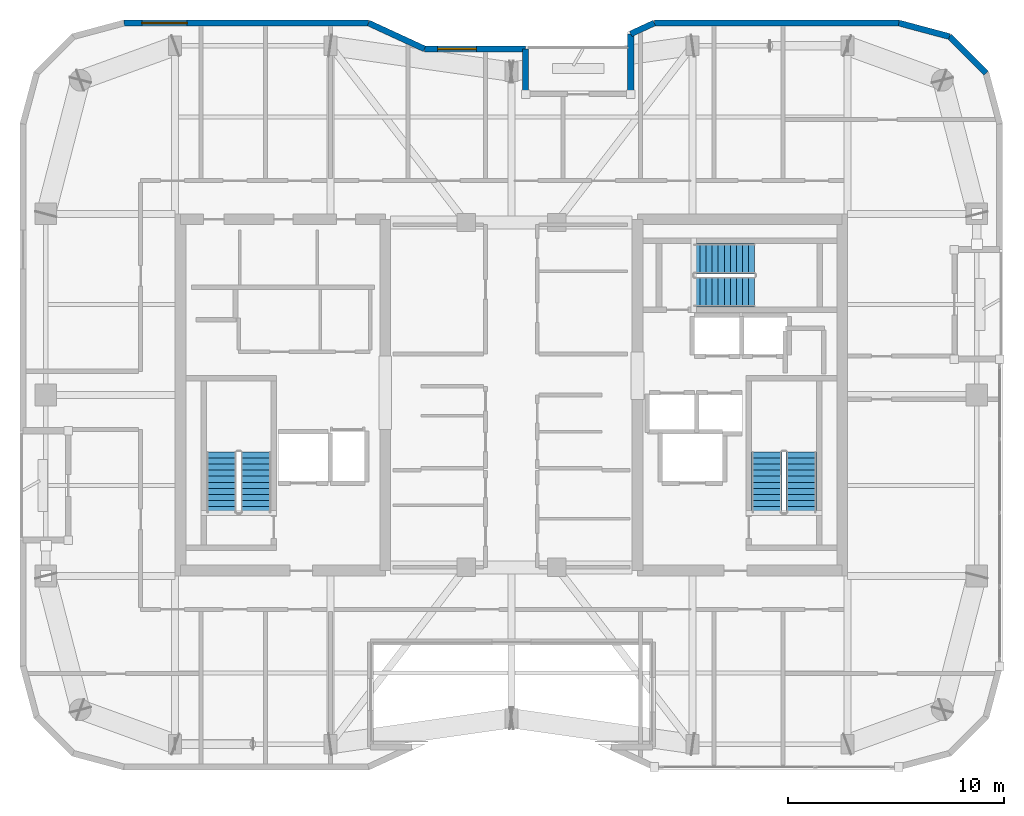
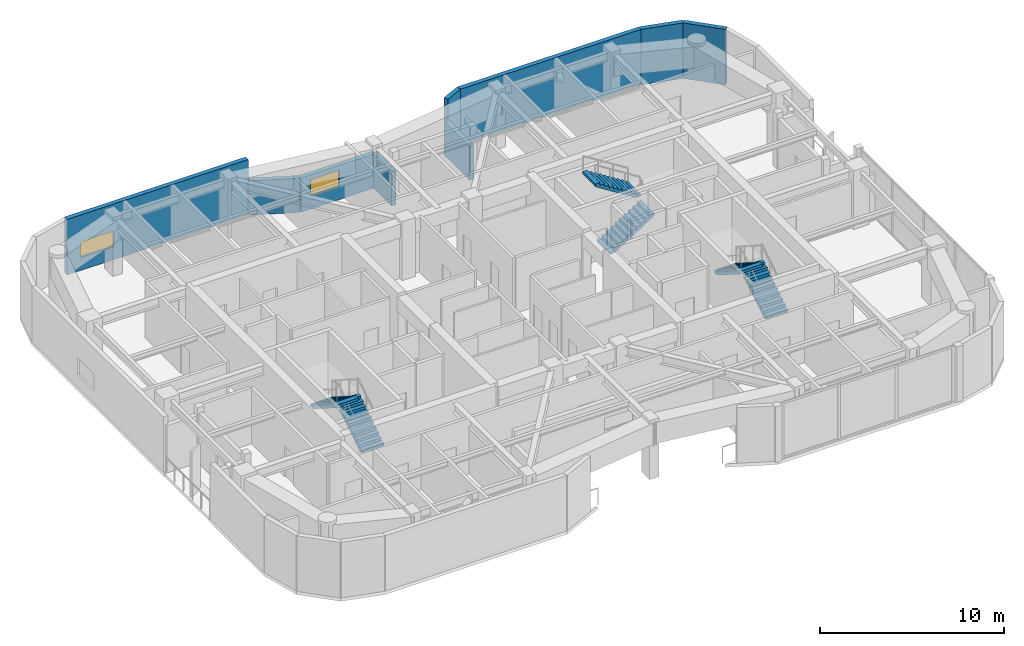
# One storey, part 14 of 16: 9 walls, 6 stair flights, 2 windows, 2 openings, 3 elements without a shape of their own.
"""IFC4 building model written with IfcOpenShell, lengths in metres."""

from ifc_helpers import new_model, si_unit, direction, frame, frame_2d, origin, place, context, subcontext, project, spatial, polyline, rectangle, outline, extrude, material, layer, layer_set, type_object, element, fill, aggregate, save


model = new_model("IFC4")

# Units and contexts
model_context = context("Model", 3, precision=1e-05, world=origin(), true_north=direction((0.0, 1.0)))
body_context = subcontext(model_context, "Body", "Model", "MODEL_VIEW")
ifc_project = project(units=[si_unit("LENGTHUNIT", "METRE"), si_unit("AREAUNIT", "SQUARE_METRE"), si_unit("VOLUMEUNIT", "CUBIC_METRE"), si_unit("PLANEANGLEUNIT", "RADIAN"), si_unit("MASSUNIT", "GRAM", prefix="KILO")], contexts=[model_context])

# Site, building, storey
site_placement = place(None, origin())
site = spatial("IfcSite", under=ifc_project, at=site_placement, CompositionType="ELEMENT")
building_placement = place(site_placement, origin())
building = spatial("IfcBuilding", under=site, at=building_placement, Name="Kiyonajd Concourse Tower", CompositionType="ELEMENT")
storey_placement = place(building_placement, frame((0.0, 0.0, 298.5)))
storey = spatial("IfcBuildingStorey", under=building, at=storey_placement, Name="L75", CompositionType="ELEMENT", Elevation=298.5)

# Wall, opening, window
ifc_material_1 = material(Name="Precast concrete C50/60", Category="concrete")
ifc_layer = layer(ifc_material_1, 0.280029296875)
ifc_layer_set = layer_set([ifc_layer], Name="Precast concrete C50/60")
wall_type = type_object("IfcWallType", Name="WL-EXT-280", PredefinedType="SOLIDWALL", material=ifc_layer_set)
wall_1_placement = place(storey_placement, frame((30.018310546875, 53.260009765625, 0.0), z_axis=(0.0, 0.0, 1.0), x_axis=(1.0, 0.0, 0.0)))
wall_1 = element("IfcWall", 1, at=wall_1_placement, inside=storey, type_object=wall_type, Name="L75 Exterior Concrete Frame Wall 29", PredefinedType="SOLIDWALL", context=body_context, shape_type="SweptSolid", body=[
    extrude(rectangle(XDim=11.35107421875, YDim=0.280029296875, at=frame_2d((5.675537109375, 0.0))), origin(), (0.0, 0.0, 1.0), 3.679931640625),
])
opening_1_placement = place(wall_1_placement, frame((0.8359375, 0.0, 0.85009765625)))
opening_1 = element("IfcOpeningElement", 2, at=opening_1_placement, cuts=wall_1, Name="Opening WN5", PredefinedType="OPENING", context=body_context, shape_type="SweptSolid", body=[
    extrude(rectangle(XDim=2.10009765625, YDim=1.050048828125, at=frame_2d((1.050048828125, 0.52490234375))), frame((0.0, 0.14990234375, 0.0), z_axis=(0.0, -1.0, 0.0), x_axis=(1.0, 0.0, 0.0)), (0.0, 0.0, 1.0), 0.300048828125),
])
ifc_material_2 = material(Name="Double Low-E Insulated Glass", Category="glass")
window_type_1 = type_object("IfcWindowType", Name="WN-VIS-2100x1050", PartitioningType="SINGLE_PANEL", PredefinedType="WINDOW", material=ifc_material_2)
window_1_placement = place(opening_1_placement, origin())
window_1 = element("IfcWindow", 3, at=window_1_placement, inside=storey, type_object=window_type_1, Name="L75 Modular Facade Vision Window 29", OverallHeight=1.050048828125, OverallWidth=2.10009765625, PartitioningType="SINGLE_PANEL", PredefinedType="WINDOW", context=body_context, shape_type="SweptSolid", body=[
    extrude(rectangle(XDim=2.10009765625, YDim=1.050048828125, at=frame_2d((1.050048828125, 0.52490234375))), frame((0.0, 0.030029296875, 0.0), z_axis=(0.0, -1.0, 0.0), x_axis=(1.0, 0.0, 0.0)), (0.0, 0.0, 1.0), 0.06005859375),
])
fill(opening_1, window_1)

# Wall
wall_2_placement = place(storey_placement, frame((41.369384765625, 53.260009765625, 0.0), z_axis=(0.0, 0.0, 1.0), x_axis=(0.907956889006, -0.419063584324, 0.0)))
element("IfcWall", 4, at=wall_2_placement, inside=storey, type_object=wall_type, Name="L75 Exterior Concrete Frame Wall 30", PredefinedType="SOLIDWALL", context=body_context, shape_type="SweptSolid", body=[
    extrude(rectangle(XDim=2.863525390625, YDim=0.280029296875, at=frame_2d((1.431640625, 0.0))), origin(), (0.0, 0.0, 1.0), 2.264892578125),
])

# Wall, opening, window
wall_3_placement = place(storey_placement, frame((43.96923828125, 52.06005859375, 0.0), z_axis=(0.0, 0.0, 1.0), x_axis=(1.0, 0.0, 0.0)))
wall_3 = element("IfcWall", 5, at=wall_3_placement, inside=storey, type_object=wall_type, Name="L75 Exterior Concrete Frame Wall 31", PredefinedType="SOLIDWALL", context=body_context, shape_type="SweptSolid", body=[
    extrude(rectangle(XDim=4.690673828125, YDim=0.280029296875, at=frame_2d((2.34521484375, 0.0))), origin(), (0.0, 0.0, 1.0), 2.264892578125),
])
opening_2_placement = place(wall_3_placement, frame((0.610107421875, 0.0, 0.85009765625)))
opening_2 = element("IfcOpeningElement", 6, at=opening_2_placement, cuts=wall_3, Name="Opening WN1", PredefinedType="OPENING", context=body_context, shape_type="SweptSolid", body=[
    extrude(rectangle(XDim=1.800048828125, YDim=1.10009765625, at=frame_2d((0.89990234375, 0.550048828125))), frame((0.0, 0.14990234375, 0.0), z_axis=(0.0, -1.0, 0.0), x_axis=(1.0, 0.0, 0.0)), (0.0, 0.0, 1.0), 0.300048828125),
])
window_type_2 = type_object("IfcWindowType", Name="WN-VIS-1800x1100", PartitioningType="SINGLE_PANEL", PredefinedType="WINDOW", material=ifc_material_2)
window_2_placement = place(opening_2_placement, origin())
window_2 = element("IfcWindow", 7, at=window_2_placement, inside=storey, type_object=window_type_2, Name="L75 Modular Facade Vision Window 31", OverallHeight=1.10009765625, OverallWidth=1.800048828125, PartitioningType="SINGLE_PANEL", PredefinedType="WINDOW", context=body_context, shape_type="SweptSolid", body=[
    extrude(rectangle(XDim=1.800048828125, YDim=1.10009765625, at=frame_2d((0.89990234375, 0.550048828125))), frame((0.0, 0.030029296875, 0.0), z_axis=(0.0, -1.0, 0.0), x_axis=(1.0, 0.0, 0.0)), (0.0, 0.0, 1.0), 0.06005859375),
])
fill(opening_2, window_2)

# Walls
wall_4_placement = place(storey_placement, frame((48.659912109375, 52.06005859375, 0.0), z_axis=(0.0, 0.0, 1.0), x_axis=(0.0, -1.0, 0.0)))
element("IfcWall", 8, at=wall_4_placement, inside=storey, type_object=wall_type, Name="L75 Exterior Concrete Frame Wall 32", PredefinedType="SOLIDWALL", context=body_context, shape_type="SweptSolid", body=[
    extrude(rectangle(XDim=2.10009765625, YDim=0.280029296875, at=frame_2d((1.050048828125, 0.0))), origin(), (0.0, 0.0, 1.0), 2.264892578125),
])
wall_5_placement = place(storey_placement, frame((53.5400390625, 49.9599609375, 0.0), z_axis=(0.0, 0.0, 1.0), x_axis=(0.0, 1.0, 0.0)))
element("IfcWall", 9, at=wall_5_placement, inside=storey, type_object=wall_type, Name="L75 Exterior Concrete Frame Wall 34", PredefinedType="SOLIDWALL", context=body_context, shape_type="SweptSolid", body=[
    extrude(rectangle(XDim=2.79638671875, YDim=0.280029296875, at=frame_2d((1.398193359375, 0.0))), origin(), (0.0, 0.0, 1.0), 2.264892578125),
])
wall_6_placement = place(storey_placement, frame((53.5400390625, 52.75634765625, 0.0), z_axis=(0.0, 0.0, 1.0), x_axis=(0.907893953211, 0.419199916176, 0.0)))
element("IfcWall", 10, at=wall_6_placement, inside=storey, type_object=wall_type, Name="L75 Exterior Concrete Frame Wall 35", PredefinedType="SOLIDWALL", context=body_context, shape_type="SweptSolid", body=[
    extrude(rectangle(XDim=1.201416015625, YDim=0.280029296875, at=frame_2d((0.6005859375, 0.0))), origin(), (0.0, 0.0, 1.0), 3.679931640625),
])
wall_7_placement = place(storey_placement, frame((54.630859375, 53.260009765625, 0.0), z_axis=(0.0, 0.0, 1.0), x_axis=(1.0, 0.0, 0.0)))
element("IfcWall", 11, at=wall_7_placement, inside=storey, type_object=wall_type, Name="L75 Exterior Concrete Frame Wall 36", PredefinedType="SOLIDWALL", context=body_context, shape_type="SweptSolid", body=[
    extrude(rectangle(XDim=11.350830078125, YDim=0.280029296875, at=frame_2d((5.67529296875, 0.0))), origin(), (0.0, 0.0, 1.0), 3.679931640625),
])
wall_8_placement = place(storey_placement, frame((65.981689453125, 53.260009765625, 0.0), z_axis=(0.0, 0.0, 1.0), x_axis=(0.965937282298, -0.25877628691, 0.0)))
element("IfcWall", 12, at=wall_8_placement, inside=storey, type_object=wall_type, Name="L75 Exterior Concrete Frame Wall 37", PredefinedType="SOLIDWALL", context=body_context, shape_type="SweptSolid", body=[
    extrude(rectangle(XDim=2.428466796875, YDim=0.280029296875, at=frame_2d((1.21435546875, 0.0))), origin(), (0.0, 0.0, 1.0), 3.679931640625),
])
wall_9_placement = place(storey_placement, frame((68.327392578125, 52.631591796875, 0.0), z_axis=(0.0, 0.0, 1.0), x_axis=(0.707106781187, -0.707106781187, 0.0)))
element("IfcWall", 13, at=wall_9_placement, inside=storey, type_object=wall_type, Name="L75 Exterior Concrete Frame Wall 38", PredefinedType="SOLIDWALL", context=body_context, shape_type="SweptSolid", body=[
    extrude(rectangle(XDim=2.409912109375, YDim=0.280029296875, at=frame_2d((1.205078125, 0.0))), origin(), (0.0, 0.0, 1.0), 3.679931640625),
])

# Stair, stair flights
ifc_material_3 = material(Name="Concrete C40/50", Category="concrete")
stair_type = type_object("IfcStairType", Name="ST-DLG-22R", PredefinedType="HALF_TURN_STAIR", material=ifc_material_3)
stair_1_placement = place(storey_placement, origin())
stair_1 = element("IfcStair", 14, at=stair_1_placement, inside=storey, type_object=stair_type, Name="L75 Protected Exit Stair ST1", PredefinedType="HALF_TURN_STAIR")
stair_flight_type = type_object("IfcStairFlightType", Name="SF-STR-22R", PredefinedType="STRAIGHT", material=ifc_material_3)
stair_flight_1_placement = place(storey_placement, frame((36.14990234375, 30.550048828125, 0.0), z_axis=(0.0, 0.0, 1.0), x_axis=(0.0, 1.0, 0.0)))
stair_flight_1 = element("IfcStairFlight", 15, at=stair_flight_1_placement, type_object=stair_flight_type, Name="ST1 flight 1", NumberOfRisers=11, NumberOfTreads=10, PredefinedType="STRAIGHT", RiserHeight=0.177272727, TreadLength=0.28, context=body_context, shape_type="SweptSolid", body=[
    extrude(outline(polyline([(0.0, 0.0), (0.0, 0.17724609375), (0.280029296875, 0.17724609375), (0.280029296875, 0.3544921875), (0.56005859375, 0.3544921875), (0.56005859375, 0.53173828125), (0.840087890625, 0.53173828125), (0.840087890625, 0.708984375), (1.1201171875, 0.708984375), (1.1201171875, 0.886474609375), (1.39990234375, 0.886474609375), (1.39990234375, 1.063720703125), (1.679931640625, 1.063720703125), (1.679931640625, 1.240966796875), (1.9599609375, 1.240966796875), (1.9599609375, 1.418212890625), (2.239990234375, 1.418212890625), (2.239990234375, 1.595458984375), (2.52001953125, 1.595458984375), (2.52001953125, 1.772705078125), (2.800048828125, 1.772705078125), (2.800048828125, 1.949951171875), (2.800048828125, 1.59521484375), (0.2802734375, 0.0), (0.0, 0.0)])), frame((0.0, 0.699951171875, 0.0), z_axis=(0.0, -1.0, 0.0), x_axis=(1.0, 0.0, 0.0)), (0.0, 0.0, 1.0), 1.39990234375),
])
stair_flight_2_placement = place(storey_placement, frame((34.550048828125, 33.35009765625, 1.949951171875), z_axis=(0.0, 0.0, 1.0), x_axis=(0.0, -1.0, 0.0)))
stair_flight_2 = element("IfcStairFlight", 16, at=stair_flight_2_placement, type_object=stair_flight_type, Name="ST1 flight 2", NumberOfRisers=11, NumberOfTreads=10, PredefinedType="STRAIGHT", RiserHeight=0.177272727, TreadLength=0.28, context=body_context, shape_type="SweptSolid", body=[
    extrude(outline(polyline([(0.0, 0.0), (0.0, 0.17724609375), (0.280029296875, 0.17724609375), (0.280029296875, 0.3544921875), (0.56005859375, 0.3544921875), (0.56005859375, 0.53173828125), (0.840087890625, 0.53173828125), (0.840087890625, 0.708984375), (1.1201171875, 0.708984375), (1.1201171875, 0.886474609375), (1.39990234375, 0.886474609375), (1.39990234375, 1.063720703125), (1.679931640625, 1.063720703125), (1.679931640625, 1.240966796875), (1.9599609375, 1.240966796875), (1.9599609375, 1.418212890625), (2.239990234375, 1.418212890625), (2.239990234375, 1.595458984375), (2.52001953125, 1.595458984375), (2.52001953125, 1.772705078125), (2.800048828125, 1.772705078125), (2.800048828125, 1.949951171875), (2.800048828125, 1.59521484375), (0.2802734375, 0.0), (0.0, 0.0)])), frame((0.0, 0.699951171875, 0.0), z_axis=(0.0, -1.0, 0.0), x_axis=(1.0, 0.0, 0.0)), (0.0, 0.0, 1.0), 1.39990234375),
])
aggregate(stair_1, [stair_flight_1, stair_flight_2])

stair_2_placement = place(storey_placement, origin())
stair_2 = element("IfcStair", 17, at=stair_2_placement, inside=storey, type_object=stair_type, Name="L75 Protected Exit Stair ST2", PredefinedType="HALF_TURN_STAIR")
stair_flight_3_placement = place(storey_placement, frame((61.449951171875, 30.550048828125, 0.0), z_axis=(0.0, 0.0, 1.0), x_axis=(0.0, 1.0, 0.0)))
stair_flight_3 = element("IfcStairFlight", 18, at=stair_flight_3_placement, type_object=stair_flight_type, Name="ST2 flight 1", NumberOfRisers=11, NumberOfTreads=10, PredefinedType="STRAIGHT", RiserHeight=0.177272727, TreadLength=0.28, context=body_context, shape_type="SweptSolid", body=[
    extrude(outline(polyline([(0.0, 0.0), (0.0, 0.17724609375), (0.280029296875, 0.17724609375), (0.280029296875, 0.3544921875), (0.56005859375, 0.3544921875), (0.56005859375, 0.53173828125), (0.840087890625, 0.53173828125), (0.840087890625, 0.708984375), (1.1201171875, 0.708984375), (1.1201171875, 0.886474609375), (1.39990234375, 0.886474609375), (1.39990234375, 1.063720703125), (1.679931640625, 1.063720703125), (1.679931640625, 1.240966796875), (1.9599609375, 1.240966796875), (1.9599609375, 1.418212890625), (2.239990234375, 1.418212890625), (2.239990234375, 1.595458984375), (2.52001953125, 1.595458984375), (2.52001953125, 1.772705078125), (2.800048828125, 1.772705078125), (2.800048828125, 1.949951171875), (2.800048828125, 1.59521484375), (0.2802734375, 0.0), (0.0, 0.0)])), frame((0.0, 0.699951171875, 0.0), z_axis=(0.0, -1.0, 0.0), x_axis=(1.0, 0.0, 0.0)), (0.0, 0.0, 1.0), 1.39990234375),
])
stair_flight_4_placement = place(storey_placement, frame((59.85009765625, 33.35009765625, 1.949951171875), z_axis=(0.0, 0.0, 1.0), x_axis=(0.0, -1.0, 0.0)))
stair_flight_4 = element("IfcStairFlight", 19, at=stair_flight_4_placement, type_object=stair_flight_type, Name="ST2 flight 2", NumberOfRisers=11, NumberOfTreads=10, PredefinedType="STRAIGHT", RiserHeight=0.177272727, TreadLength=0.28, context=body_context, shape_type="SweptSolid", body=[
    extrude(outline(polyline([(0.0, 0.0), (0.0, 0.17724609375), (0.280029296875, 0.17724609375), (0.280029296875, 0.3544921875), (0.56005859375, 0.3544921875), (0.56005859375, 0.53173828125), (0.840087890625, 0.53173828125), (0.840087890625, 0.708984375), (1.1201171875, 0.708984375), (1.1201171875, 0.886474609375), (1.39990234375, 0.886474609375), (1.39990234375, 1.063720703125), (1.679931640625, 1.063720703125), (1.679931640625, 1.240966796875), (1.9599609375, 1.240966796875), (1.9599609375, 1.418212890625), (2.239990234375, 1.418212890625), (2.239990234375, 1.595458984375), (2.52001953125, 1.595458984375), (2.52001953125, 1.772705078125), (2.800048828125, 1.772705078125), (2.800048828125, 1.949951171875), (2.800048828125, 1.59521484375), (0.2802734375, 0.0), (0.0, 0.0)])), frame((0.0, 0.699951171875, 0.0), z_axis=(0.0, -1.0, 0.0), x_axis=(1.0, 0.0, 0.0)), (0.0, 0.0, 1.0), 1.39990234375),
])
aggregate(stair_2, [stair_flight_3, stair_flight_4])

stair_3_placement = place(storey_placement, origin())
stair_3 = element("IfcStair", 20, at=stair_3_placement, inside=storey, type_object=stair_type, Name="L75 Protected Exit Stair ST3", PredefinedType="HALF_TURN_STAIR")
stair_flight_5_placement = place(storey_placement, frame((56.47998046875, 40.780029296875, 0.0), z_axis=(0.0, 0.0, 1.0), x_axis=(1.0, 0.0, 0.0)))
stair_flight_5 = element("IfcStairFlight", 21, at=stair_flight_5_placement, type_object=stair_flight_type, Name="ST3 flight 1", NumberOfRisers=11, NumberOfTreads=10, PredefinedType="STRAIGHT", RiserHeight=0.177272727, TreadLength=0.28, context=body_context, shape_type="SweptSolid", body=[
    extrude(outline(polyline([(0.0, 0.0), (0.0, 0.17724609375), (0.280029296875, 0.17724609375), (0.280029296875, 0.3544921875), (0.56005859375, 0.3544921875), (0.56005859375, 0.53173828125), (0.840087890625, 0.53173828125), (0.840087890625, 0.708984375), (1.1201171875, 0.708984375), (1.1201171875, 0.886474609375), (1.39990234375, 0.886474609375), (1.39990234375, 1.063720703125), (1.679931640625, 1.063720703125), (1.679931640625, 1.240966796875), (1.9599609375, 1.240966796875), (1.9599609375, 1.418212890625), (2.239990234375, 1.418212890625), (2.239990234375, 1.595458984375), (2.52001953125, 1.595458984375), (2.52001953125, 1.772705078125), (2.800048828125, 1.772705078125), (2.800048828125, 1.949951171875), (2.800048828125, 1.59521484375), (0.2802734375, 0.0), (0.0, 0.0)])), frame((0.0, 0.699951171875, 0.0), z_axis=(0.0, -1.0, 0.0), x_axis=(1.0, 0.0, 0.0)), (0.0, 0.0, 1.0), 1.39990234375),
])
stair_flight_6_placement = place(storey_placement, frame((59.280029296875, 42.320068359375, 1.949951171875), z_axis=(0.0, 0.0, 1.0), x_axis=(-1.0, 0.0, 0.0)))
stair_flight_6 = element("IfcStairFlight", 22, at=stair_flight_6_placement, type_object=stair_flight_type, Name="ST3 flight 2", NumberOfRisers=11, NumberOfTreads=10, PredefinedType="STRAIGHT", RiserHeight=0.177272727, TreadLength=0.28, context=body_context, shape_type="SweptSolid", body=[
    extrude(outline(polyline([(0.0, 0.0), (0.0, 0.17724609375), (0.280029296875, 0.17724609375), (0.280029296875, 0.3544921875), (0.56005859375, 0.3544921875), (0.56005859375, 0.53173828125), (0.840087890625, 0.53173828125), (0.840087890625, 0.708984375), (1.1201171875, 0.708984375), (1.1201171875, 0.886474609375), (1.39990234375, 0.886474609375), (1.39990234375, 1.063720703125), (1.679931640625, 1.063720703125), (1.679931640625, 1.240966796875), (1.9599609375, 1.240966796875), (1.9599609375, 1.418212890625), (2.239990234375, 1.418212890625), (2.239990234375, 1.595458984375), (2.52001953125, 1.595458984375), (2.52001953125, 1.772705078125), (2.800048828125, 1.772705078125), (2.800048828125, 1.949951171875), (2.800048828125, 1.59521484375), (0.2802734375, 0.0), (0.0, 0.0)])), frame((0.0, 0.699951171875, 0.0), z_axis=(0.0, -1.0, 0.0), x_axis=(1.0, 0.0, 0.0)), (0.0, 0.0, 1.0), 1.39990234375),
])
aggregate(stair_3, [stair_flight_5, stair_flight_6])

save(model, "model.ifc")
